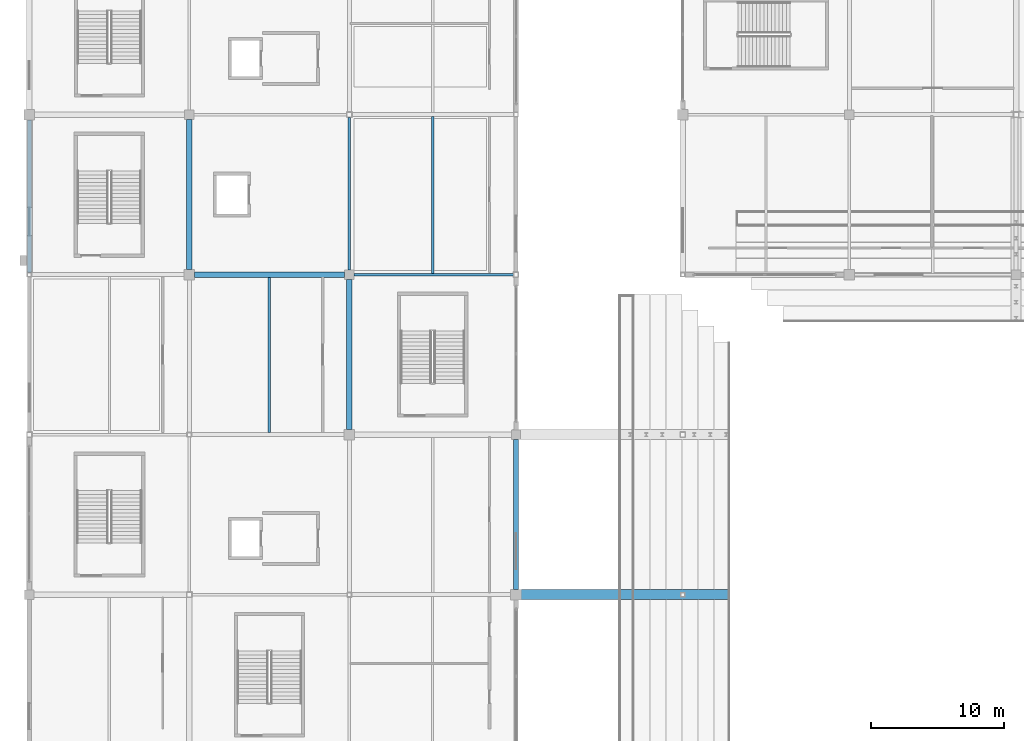
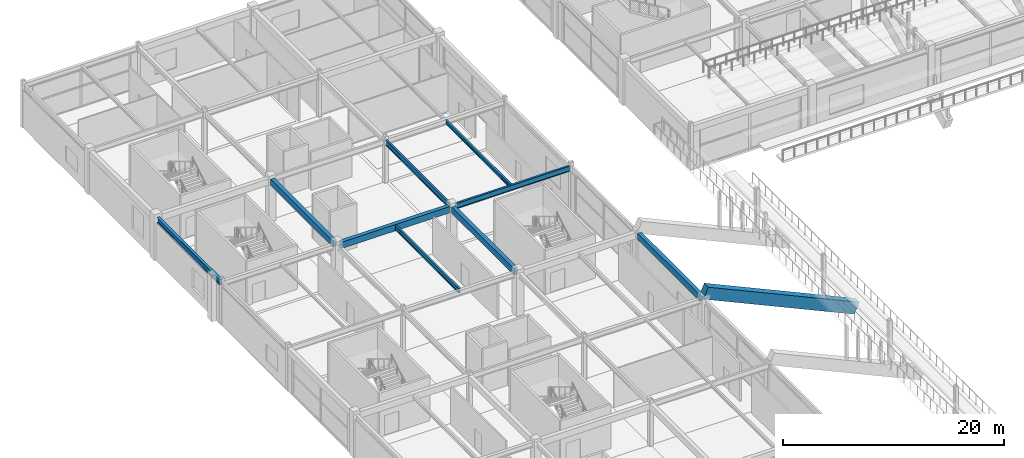
# One storey, part 40 of 128: 10 beams.
"""IFC4 building model written with IfcOpenShell, lengths in metres."""

from ifc_helpers import new_model, si_unit, direction, frame, origin, origin_2d, place, context, subcontext, project, spatial, rectangle, i_section, extrude, material, material_profile, profile_set, type_object, element, save


model = new_model("IFC4")

# Units and contexts
model_context = context("Model", 3, precision=1e-05, world=origin(), true_north=direction((0.0, 1.0)))
body_context = subcontext(model_context, "Body", "Model", "MODEL_VIEW")
ifc_project = project(units=[si_unit("LENGTHUNIT", "METRE"), si_unit("AREAUNIT", "SQUARE_METRE"), si_unit("VOLUMEUNIT", "CUBIC_METRE"), si_unit("PLANEANGLEUNIT", "RADIAN"), si_unit("MASSUNIT", "GRAM", prefix="KILO")], contexts=[model_context])

# Site, building, storey
site_placement = place(None, origin())
site = spatial("IfcSite", under=ifc_project, at=site_placement, CompositionType="ELEMENT")
building_placement = place(site_placement, origin())
building = spatial("IfcBuilding", under=site, at=building_placement, Name="Kazenohara Klinker Stadium", CompositionType="ELEMENT")
storey_placement = place(building_placement, frame((0.0, 0.0, 15.300048828125)))
storey = spatial("IfcBuildingStorey", under=building, at=storey_placement, Name="L03", CompositionType="ELEMENT", Elevation=15.300048828125)

# Beams
ifc_material_1 = material(Name="Steel S355", Category="steel")
ifc_material_profile_1 = material_profile(ifc_material_1, i_section(OverallWidth=0.199951171875, OverallDepth=0.5, WebThickness=0.010009765625, FlangeThickness=0.01611328125, FilletRadius=0.012939453125, at=origin_2d()), Name="H-500x200x10x16")
ifc_profile_set_1 = profile_set([ifc_material_profile_1], Name="Steel S355")
beam_type_1 = type_object("IfcBeamType", Name="BM-JST01", PredefinedType="JOIST", material=ifc_profile_set_1)
beam_1_placement = place(storey_placement, frame((18.0, 120.14990234375, 4.510009765625), z_axis=(0.0, 1.0, 0.0), x_axis=(-1.0, 0.0, 0.0)))
element("IfcBeam", 1, at=beam_1_placement, inside=storey, type_object=beam_type_1, Name="Secondary floor joist SJ01 L03 2/L", PredefinedType="JOIST", context=body_context, shape_type="SweptSolid", body=[
    extrude(i_section(OverallWidth=0.199951171875, OverallDepth=0.5, WebThickness=0.010009765625, FlangeThickness=0.01611328125, FilletRadius=0.012939453125, at=origin_2d()), origin(), (0.0, 0.0, 1.0), 11.650146484375),
])
ifc_material_profile_2 = material_profile(ifc_material_1, i_section(OverallWidth=0.199951171875, OverallDepth=0.39990234375, WebThickness=0.008056640625, FlangeThickness=0.012939453125, FilletRadius=0.012939453125, at=origin_2d()), Name="H-400x200x8x13")
ifc_profile_set_2 = profile_set([ifc_material_profile_2], Name="Steel S355")
beam_type_2 = type_object("IfcBeamType", Name="BM-JST03", PredefinedType="JOIST", material=ifc_profile_set_2)
beam_2_placement = place(storey_placement, frame((30.25, 132.10009765625, 4.56005859375), z_axis=(0.0, 1.0, 0.0), x_axis=(-1.0, 0.0, 0.0)))
element("IfcBeam", 2, at=beam_2_placement, inside=storey, type_object=beam_type_2, Name="Secondary floor joist SJ03 L03 3/M", PredefinedType="JOIST", context=body_context, shape_type="SweptSolid", body=[
    extrude(i_section(OverallWidth=0.199951171875, OverallDepth=0.39990234375, WebThickness=0.008056640625, FlangeThickness=0.012939453125, FilletRadius=0.012939453125, at=origin_2d()), origin(), (0.0, 0.0, 1.0), 11.75),
])
ifc_material_2 = material(Name="Concrete C40/50", Category="concrete")
ifc_material_profile_3 = material_profile(ifc_material_2, rectangle(XDim=0.39990234375, YDim=0.699951171875, at=origin_2d()), Name="RC-BM-400x700")
ifc_profile_set_3 = profile_set([ifc_material_profile_3], Name="Concrete C40/50")
beam_type_3 = type_object("IfcBeamType", Name="BM-RC04", PredefinedType="BEAM", material=ifc_profile_set_3)
for number, where, z_axis, x_axis, name in (
    (3, (12.39990234375, 132.0, 4.409912109375), (1.0, 0.0, 0.0), (0.0, 1.0, 0.0), "Primary girder BG04 L03 2-3/M"),
    (4, (12.0, 132.39990234375, 4.409912109375), (0.0, 1.0, 0.0), (-1.0, 0.0, 0.0), "Primary girder BG04 L03 2/M-N"),
    (5, (24.0, 120.39990234375, 4.409912109375), (0.0, 1.0, 0.0), (-1.0, 0.0, 0.0), "Primary girder BG04 L03 3/L-M"),
    (6, (36.5, 108.39990234375, 4.409912109375), (0.0, 1.0, 0.0), (-1.0, 0.0, 0.0), "Primary girder BG04 L03 4/K-L"),
):
    element("IfcBeam", number, at=place(storey_placement, frame(where, z_axis=z_axis, x_axis=x_axis)), inside=storey, type_object=beam_type_3, Name=name, PredefinedType="BEAM", context=body_context, shape_type="SweptSolid", body=[
        extrude(rectangle(XDim=0.39990234375, YDim=0.699951171875, at=origin_2d()), origin(), (0.0, 0.0, 1.0), 11.25),
    ])
ifc_material_profile_4 = material_profile(ifc_material_1, i_section(OverallWidth=0.199951171875, OverallDepth=0.60009765625, WebThickness=0.010986328125, FlangeThickness=0.01708984375, FilletRadius=0.012939453125, at=origin_2d()), Name="H-600x200x11x17")
ifc_profile_set_4 = profile_set([ifc_material_profile_4], Name="Steel S355")
beam_type_4 = type_object("IfcBeamType", Name="BM-ST04", PredefinedType="BEAM", material=ifc_profile_set_4)
beam_3_placement = place(storey_placement, frame((24.35009765625, 132.0, 4.4599609375), z_axis=(1.0, 0.0, 0.0), x_axis=(0.0, 1.0, 0.0)))
element("IfcBeam", 7, at=beam_3_placement, inside=storey, type_object=beam_type_4, Name="Primary girder SB04 L03 3-4/M", PredefinedType="BEAM", context=body_context, shape_type="SweptSolid", body=[
    extrude(i_section(OverallWidth=0.199951171875, OverallDepth=0.60009765625, WebThickness=0.010986328125, FlangeThickness=0.01708984375, FilletRadius=0.012939453125, at=origin_2d()), origin(), (0.0, 0.0, 1.0), 11.949951171875),
])
beam_4_placement = place(storey_placement, frame((24.0, 132.35009765625, 4.4599609375), z_axis=(0.0, 1.0, 0.0), x_axis=(-1.0, 0.0, 0.0)))
element("IfcBeam", 8, at=beam_4_placement, inside=storey, type_object=beam_type_4, Name="Primary girder SB04 L03 3/M-N", PredefinedType="BEAM", context=body_context, shape_type="SweptSolid", body=[
    extrude(i_section(OverallWidth=0.199951171875, OverallDepth=0.60009765625, WebThickness=0.010986328125, FlangeThickness=0.01708984375, FilletRadius=0.012939453125, at=origin_2d()), origin(), (0.0, 0.0, 1.0), 11.449951171875),
])
ifc_material_profile_5 = material_profile(ifc_material_1, i_section(OverallWidth=0.300048828125, OverallDepth=0.587890625, WebThickness=0.011962890625, FlangeThickness=0.02001953125, FilletRadius=0.02197265625, at=origin_2d()), Name="H-588x300x12x20")
ifc_profile_set_5 = profile_set([ifc_material_profile_5], Name="Steel S355")
beam_type_5 = type_object("IfcBeamType", Name="BM-ST05", PredefinedType="BEAM", material=ifc_profile_set_5)
beam_5_placement = place(storey_placement, frame((0.0, 132.175048828125, 4.466064453125), z_axis=(0.0, 1.0, 0.0), x_axis=(-1.0, 0.0, 0.0)))
element("IfcBeam", 9, at=beam_5_placement, inside=storey, type_object=beam_type_5, Name="Primary girder SB05 L03 1/M-N", PredefinedType="BEAM", context=body_context, shape_type="SweptSolid", body=[
    extrude(i_section(OverallWidth=0.300048828125, OverallDepth=0.587890625, WebThickness=0.011962890625, FlangeThickness=0.02001953125, FilletRadius=0.02197265625, at=origin_2d()), origin(), (0.0, 0.0, 1.0), 11.425048828125),
])
ifc_material_3 = material(Name="Precast concrete C50/60", Category="concrete")
ifc_material_profile_6 = material_profile(ifc_material_3, rectangle(XDim=0.75, YDim=1.25, at=origin_2d()), Name="PC-RAKER-750x1250")
ifc_profile_set_6 = profile_set([ifc_material_profile_6], Name="Precast concrete C50/60")
beam_type_6 = type_object("IfcBeamType", Name="RAKER-RK02", PredefinedType="USERDEFINED", material=ifc_profile_set_6)
beam_6_placement = place(storey_placement, frame((36.5, 108.0, 5.351318359375), z_axis=(0.909973134945, 0.0, -0.414667208348), x_axis=(0.0, 1.0, 0.0)))
element("IfcBeam", 10, at=beam_6_placement, inside=storey, type_object=beam_type_6, Name="Precast bowl raker girder RK02 UPPER West K", ObjectType="RAKER", PredefinedType="USERDEFINED", context=body_context, shape_type="SweptSolid", body=[
    extrude(rectangle(XDim=0.75, YDim=1.25, at=origin_2d()), origin(), (0.0, 0.0, 1.0), 17.36328125),
])

save(model, "model.ifc")
